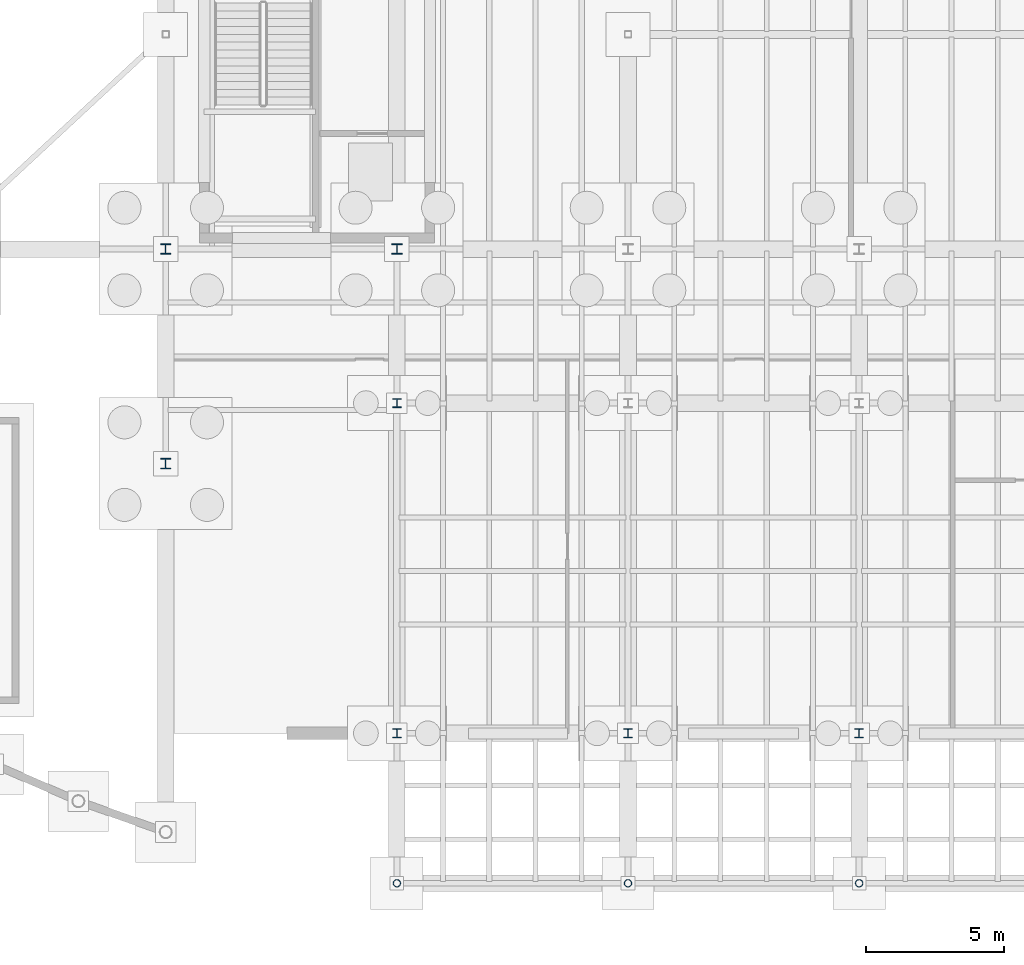
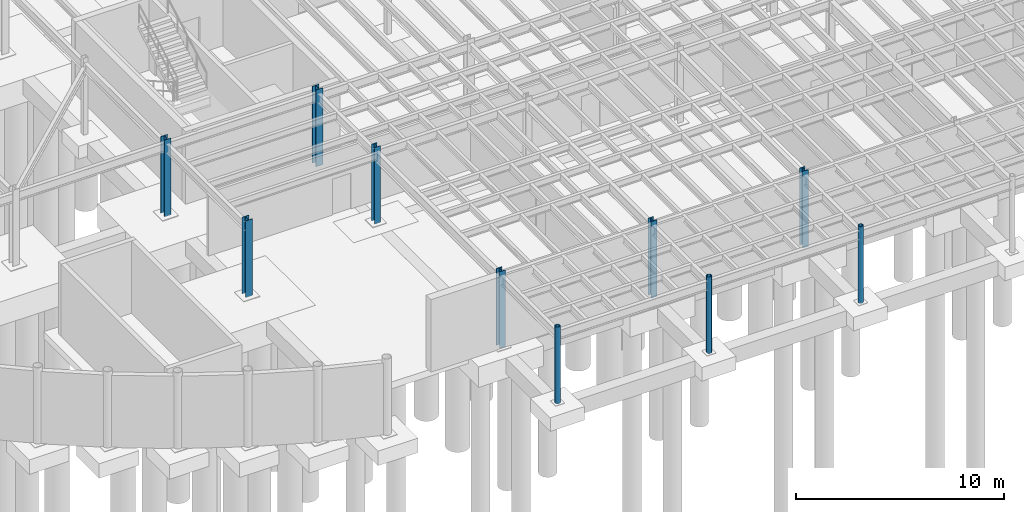
# One storey, part 7 of 41: 10 columns.
"""IFC4 building model written with IfcOpenShell, lengths in metres."""

import ifcopenshell
import ifcopenshell.guid

model = None  # the IFC model being written
_history = None  # IfcOwnerHistory: only IFC2X3 demands one
_inside = {}  # id of a spatial element -> (the spatial element, [elements in it])
_under = {}  # id of a project, library or spatial element -> (it, [spatial elements below it])
_declared = {}  # id of a project -> (the project, [libraries it declares])
_typed = {}  # id of a type object -> (the type object, [elements of that type])
_made_of = {}  # id of a material, layer set ... -> (it, [elements and type objects made of it])


def new_model(schema):
    """Start an empty IFC model of exactly this schema.

    Asked for "IFC4X3", IfcOpenShell would pick the latest addendum, in which some entities
    have other attributes; the version numbers below select the first issue.
    IFC2X3 requires an IfcOwnerHistory on every rooted entity: one is made here for all.
    """
    global model, _history
    if schema == "IFC4X3":
        model = ifcopenshell.file(schema_version=(4, 3, 0, 0))
    else:
        model = ifcopenshell.file(schema=schema)
    _inside.clear()
    _under.clear()
    _declared.clear()
    _typed.clear()
    _made_of.clear()
    _history = None
    if model.schema == "IFC2X3":
        org = make("IfcOrganization", Name="unknown")
        user = make(
            "IfcPersonAndOrganization",
            ThePerson=make("IfcPerson", FamilyName="unknown"),
            TheOrganization=org,
        )
        app = make(
            "IfcApplication",
            ApplicationDeveloper=org,
            Version="unknown",
            ApplicationFullName="unknown",
            ApplicationIdentifier="unknown",
        )
        _history = make(
            "IfcOwnerHistory",
            OwningUser=user,
            OwningApplication=app,
            ChangeAction="ADDED",
            CreationDate=0,
        )
    return model


def make(cls, **values):
    """One entity of the class cls with the attributes given. An attribute that is None is left unset."""
    return model.create_entity(
        cls, **{name: value for name, value in values.items() if value is not None}
    )


def rooted(cls, **values):
    """An entity with a GlobalId (a new one), such as an element, a storey or a relation."""
    return make(cls, GlobalId=ifcopenshell.guid.new(), OwnerHistory=_history, **values)


def si_unit(unit_type, name, prefix=None):
    """IfcSIUnit, for example si_unit("LENGTHUNIT", "METRE", prefix="MILLI")."""
    return make("IfcSIUnit", UnitType=unit_type, Prefix=prefix, Name=name)


def assignment(units):
    """IfcUnitAssignment: the units of a project."""
    return None if units is None else make("IfcUnitAssignment", Units=units)


def point(xyz):
    """IfcCartesianPoint."""
    return None if xyz is None else make("IfcCartesianPoint", Coordinates=xyz)


def direction(xyz):
    """IfcDirection."""
    return None if xyz is None else make("IfcDirection", DirectionRatios=xyz)


def frame(location, z_axis=None, x_axis=None):
    """IfcAxis2Placement3D, a coordinate frame: its origin and axes. An axis left out is left unset."""
    return make(
        "IfcAxis2Placement3D",
        Location=point(location),
        Axis=direction(z_axis),
        RefDirection=direction(x_axis),
    )


def frame_2d(location, x_axis=None):
    """IfcAxis2Placement2D, a coordinate frame in the plane: its origin and x axis."""
    return make(
        "IfcAxis2Placement2D", Location=point(location), RefDirection=direction(x_axis)
    )


def origin():
    """The frame at (0, 0, 0) with its axes left unset."""
    return frame((0.0, 0.0, 0.0))


def origin_2d():
    """The frame at (0, 0) in the plane with its x axis left unset."""
    return frame_2d((0.0, 0.0))


def place(relative_to, where):
    """IfcLocalPlacement: puts the frame where relative to a parent placement (None: the world)."""
    return make(
        "IfcLocalPlacement", PlacementRelTo=relative_to, RelativePlacement=where
    )


def context(
    kind, dimensions, precision=None, world=None, true_north=None, identifier=None
):
    """IfcGeometricRepresentationContext, for example the 3D "Model" context."""
    return make(
        "IfcGeometricRepresentationContext",
        ContextIdentifier=identifier,
        ContextType=kind,
        CoordinateSpaceDimension=dimensions,
        Precision=precision,
        WorldCoordinateSystem=world,
        TrueNorth=true_north,
    )


def subcontext(parent, identifier, kind, view, scale=None):
    """IfcGeometricRepresentationSubContext, for example "Body" below "Model"."""
    return make(
        "IfcGeometricRepresentationSubContext",
        ContextIdentifier=identifier,
        ContextType=kind,
        ParentContext=parent,
        TargetScale=scale,
        TargetView=view,
    )


def project(units=None, contexts=None):
    """IfcProject with its units and contexts."""
    return rooted(
        "IfcProject",
        Name="project",
        RepresentationContexts=contexts,
        UnitsInContext=assignment(units),
    )


def spatial(cls, under=None, at=None, **own):
    """A site, building, storey or space (cls), placed at a placement, below another one or the project."""
    s = rooted(cls, ObjectPlacement=at, **own)
    if under is not None:
        _under.setdefault(under.id(), (under, []))[1].append(s)
    return s


def profile(cls, at=None, kind="AREA", **sizes):
    """A parametric profile (cls). Its sizes go by their IFC names, for example OverallWidth=200.0."""
    return make(cls, ProfileType=kind, Position=at, **sizes)


def hollow_circle(**sizes):
    """IfcCircleHollowProfileDef."""
    return profile("IfcCircleHollowProfileDef", **sizes)


def i_section(**sizes):
    """IfcIShapeProfileDef."""
    return profile("IfcIShapeProfileDef", **sizes)


def extrude(swept, where, along, depth):
    """IfcExtrudedAreaSolid: the profile swept, set in the frame where, extruded along a direction by depth."""
    return make(
        "IfcExtrudedAreaSolid",
        SweptArea=swept,
        Position=where,
        ExtrudedDirection=direction(along),
        Depth=depth,
    )


def shape(context_of_items, identifier, shape_type, items):
    """IfcShapeRepresentation: the items that make up one representation, for example the "Body"."""
    return make(
        "IfcShapeRepresentation",
        ContextOfItems=context_of_items,
        RepresentationIdentifier=identifier,
        RepresentationType=shape_type,
        Items=items,
    )


def material(Name=None, Category=None):
    """IfcMaterial."""
    return make("IfcMaterial", Name=Name, Category=Category)


def material_profile(
    of_material, cross_section, Name=None, Category=None, Priority=None
):
    """IfcMaterialProfile: a cross section and its material."""
    return make(
        "IfcMaterialProfile",
        Name=Name,
        Material=of_material,
        Profile=cross_section,
        Priority=Priority,
        Category=Category,
    )


def profile_set(profiles, Name=None, composite=None):
    """IfcMaterialProfileSet."""
    return make(
        "IfcMaterialProfileSet",
        Name=Name,
        MaterialProfiles=profiles,
        CompositeProfile=composite,
    )


def made_of(thing, what):
    """Note that an element or type object is made of a material, layer set ...; save() writes the relation."""
    if what is not None:
        _made_of.setdefault(what.id(), (what, []))[1].append(thing)
    return thing


def type_object(cls, material=None, **own):
    """A type object (cls), such as IfcWallType, which elements share."""
    return made_of(rooted(cls, **own), material)


def element(
    cls,
    number,
    at=None,
    inside=None,
    cuts=None,
    type_object=None,
    material=None,
    context=None,
    identifier="Body",
    shape_type=None,
    held_by="IfcProductDefinitionShape",
    body=None,
    shapes=None,
    **own,
):
    """One element of the class cls, such as IfcWall. Its Tag is "e" and its number.

    at: its placement. inside: the storey or other place that contains it. cuts: it is an
    opening in that element (IfcRelVoidsElement). A single representation is given by context,
    identifier, shape_type and body (its items); several are given by shapes. held_by: the class
    of the entity that holds the representations. save() writes the other relations.
    """
    e = rooted(cls, Tag="e%d" % number, ObjectPlacement=at, **own)
    if body is not None:
        shapes = [shape(context, identifier, shape_type, body)]
    if shapes is not None:
        e.Representation = make(held_by, Representations=shapes)
    if inside is not None:
        _inside.setdefault(inside.id(), (inside, []))[1].append(e)
    if cuts is not None:
        rooted(
            "IfcRelVoidsElement", RelatingBuildingElement=cuts, RelatedOpeningElement=e
        )
    if type_object is not None:
        _typed.setdefault(type_object.id(), (type_object, []))[1].append(e)
    return made_of(e, material)


def aggregate(whole, parts):
    """IfcRelAggregates: a whole, such as a stair, and the parts it consists of."""
    return rooted("IfcRelAggregates", RelatingObject=whole, RelatedObjects=parts)


def save(model, path):
    """Write the relations noted so far, then the file.

    IfcRelAggregates (storeys below a building ...), IfcRelContainedInSpatialStructure (elements
    in a storey), IfcRelDefinesByType, IfcRelAssociatesMaterial and IfcRelDeclares: one each for
    every whole, place, type object, material and project.
    """
    for whole, parts in _under.values():
        aggregate(whole, parts)
    for where, things in _inside.values():
        rooted(
            "IfcRelContainedInSpatialStructure",
            RelatedElements=things,
            RelatingStructure=where,
        )
    for kind, things in _typed.values():
        rooted("IfcRelDefinesByType", RelatedObjects=things, RelatingType=kind)
    for what, things in _made_of.values():
        rooted("IfcRelAssociatesMaterial", RelatedObjects=things, RelatingMaterial=what)
    for by, libraries in _declared.values():
        rooted("IfcRelDeclares", RelatingContext=by, RelatedDefinitions=libraries)
    model.write(path)


model = new_model("IFC4")

# Units and contexts
model_context = context("Model", 3, precision=1e-05, world=origin(), true_north=direction((0.0, 1.0)))
body_context = subcontext(model_context, "Body", "Model", "MODEL_VIEW")
ifc_project = project(units=[si_unit("LENGTHUNIT", "METRE"), si_unit("AREAUNIT", "SQUARE_METRE"), si_unit("VOLUMEUNIT", "CUBIC_METRE"), si_unit("PLANEANGLEUNIT", "RADIAN"), si_unit("MASSUNIT", "GRAM", prefix="KILO")], contexts=[model_context])

# Site, building, storey
site_placement = place(None, origin())
site = spatial("IfcSite", under=ifc_project, at=site_placement, CompositionType="ELEMENT")
building_placement = place(site_placement, origin())
building = spatial("IfcBuilding", under=site, at=building_placement, Name="Selat Folded Stagehouse", CompositionType="ELEMENT")
storey_placement = place(building_placement, frame((0.0, 0.0, -4.5)))
storey = spatial("IfcBuildingStorey", under=building, at=storey_placement, Name="B1", CompositionType="ELEMENT", Elevation=-4.5)

# Columns
ifc_material = material(Name="Steel S355", Category="steel")
ifc_material_profile_1 = material_profile(ifc_material, hollow_circle(Radius=0.136474609375, WallThickness=0.012451171875, at=origin_2d()), Name="CHS 273.0x12.5")
ifc_profile_set_1 = profile_set([ifc_material_profile_1], Name="Steel S355")
column_type_1 = type_object("IfcColumnType", Name="COL-CHS-273x12.5", PredefinedType="COLUMN", material=ifc_profile_set_1)
for number, where, z_axis, x_axis, name in (
    (1, (42.0, 0.35009765625, 0.0), (0.0, 0.0, 1.0), (1.0, 0.0, 0.0), "B1 column STK-COLPOST-42"),
    (2, (50.39990234375, 0.35009765625, 0.0), (0.0, 0.0, 1.0), (1.0, 0.0, 0.0), "B1 column STK-COLPOST-50"),
    (3, (58.800048828125, 0.35009765625, 0.0), (0.0, 0.0, 1.0), (1.0, 0.0, 0.0), "B1 column STK-COLPOST-58"),
):
    element("IfcColumn", number, at=place(storey_placement, frame(where, z_axis=z_axis, x_axis=x_axis)), inside=storey, type_object=column_type_1, Name=name, PredefinedType="COLUMN", context=body_context, shape_type="SweptSolid", body=[
        extrude(hollow_circle(Radius=0.136474609375, WallThickness=0.012451171875, at=origin_2d()), origin(), (0.0, 0.0, 1.0), 4.5),
    ])
ifc_material_profile_2 = material_profile(ifc_material, i_section(OverallWidth=0.311279296875, OverallDepth=0.3271484375, WebThickness=0.015869140625, FlangeThickness=0.02490234375, FilletRadius=0.01513671875, at=origin_2d()), Name="UKC 305x305x158")
ifc_profile_set_2 = profile_set([ifc_material_profile_2], Name="Steel S355")
column_type_2 = type_object("IfcColumnType", Name="COL-UKC-305x305x158", PredefinedType="COLUMN", material=ifc_profile_set_2)
for number, where, z_axis, x_axis, name in (
    (4, (42.0, 5.800048828125, 0.0), (0.0, 0.0, 1.0), (1.0, 0.0, 0.0), "B1 column STK-V5-42-58"),
    (5, (42.0, 17.800048828125, 0.0), (0.0, 0.0, 1.0), (1.0, 0.0, 0.0), "B1 column STK-V5-42-178"),
    (6, (50.39990234375, 5.800048828125, 0.0), (0.0, 0.0, 1.0), (1.0, 0.0, 0.0), "B1 column STK-V5-50-58"),
    (7, (58.800048828125, 5.800048828125, 0.0), (0.0, 0.0, 1.0), (1.0, 0.0, 0.0), "B1 column STK-V5-58-58"),
):
    element("IfcColumn", number, at=place(storey_placement, frame(where, z_axis=z_axis, x_axis=x_axis)), inside=storey, type_object=column_type_2, Name=name, PredefinedType="COLUMN", context=body_context, shape_type="SweptSolid", body=[
        extrude(i_section(OverallWidth=0.311279296875, OverallDepth=0.3271484375, WebThickness=0.015869140625, FlangeThickness=0.02490234375, FilletRadius=0.01513671875, at=origin_2d()), origin(), (0.0, 0.0, 1.0), 4.5),
    ])
ifc_material_profile_3 = material_profile(ifc_material, i_section(OverallWidth=0.374755859375, OverallDepth=0.37451171875, WebThickness=0.0166015625, FlangeThickness=0.027099609375, FilletRadius=0.01513671875, at=origin_2d()), Name="UKC 356x368x202")
ifc_profile_set_3 = profile_set([ifc_material_profile_3], Name="Steel S355")
column_type_3 = type_object("IfcColumnType", Name="COL-UKC-356x368x202", PredefinedType="COLUMN", material=ifc_profile_set_3)
for number, where, z_axis, x_axis, name in (
    (8, (33.60009765625, 15.60009765625, 0.0), (0.0, 0.0, 1.0), (1.0, 0.0, 0.0), "B1 column STK-V2-06"),
    (9, (33.60009765625, 23.39990234375, 0.0), (0.0, 0.0, 1.0), (1.0, 0.0, 0.0), "B1 column STK-V2-07"),
    (10, (42.0, 23.39990234375, 0.0), (0.0, 0.0, 1.0), (1.0, 0.0, 0.0), "B1 column STK-V2-11"),
):
    element("IfcColumn", number, at=place(storey_placement, frame(where, z_axis=z_axis, x_axis=x_axis)), inside=storey, type_object=column_type_3, Name=name, PredefinedType="COLUMN", context=body_context, shape_type="SweptSolid", body=[
        extrude(i_section(OverallWidth=0.374755859375, OverallDepth=0.37451171875, WebThickness=0.0166015625, FlangeThickness=0.027099609375, FilletRadius=0.01513671875, at=origin_2d()), origin(), (0.0, 0.0, 1.0), 4.5),
    ])

save(model, "model.ifc")
